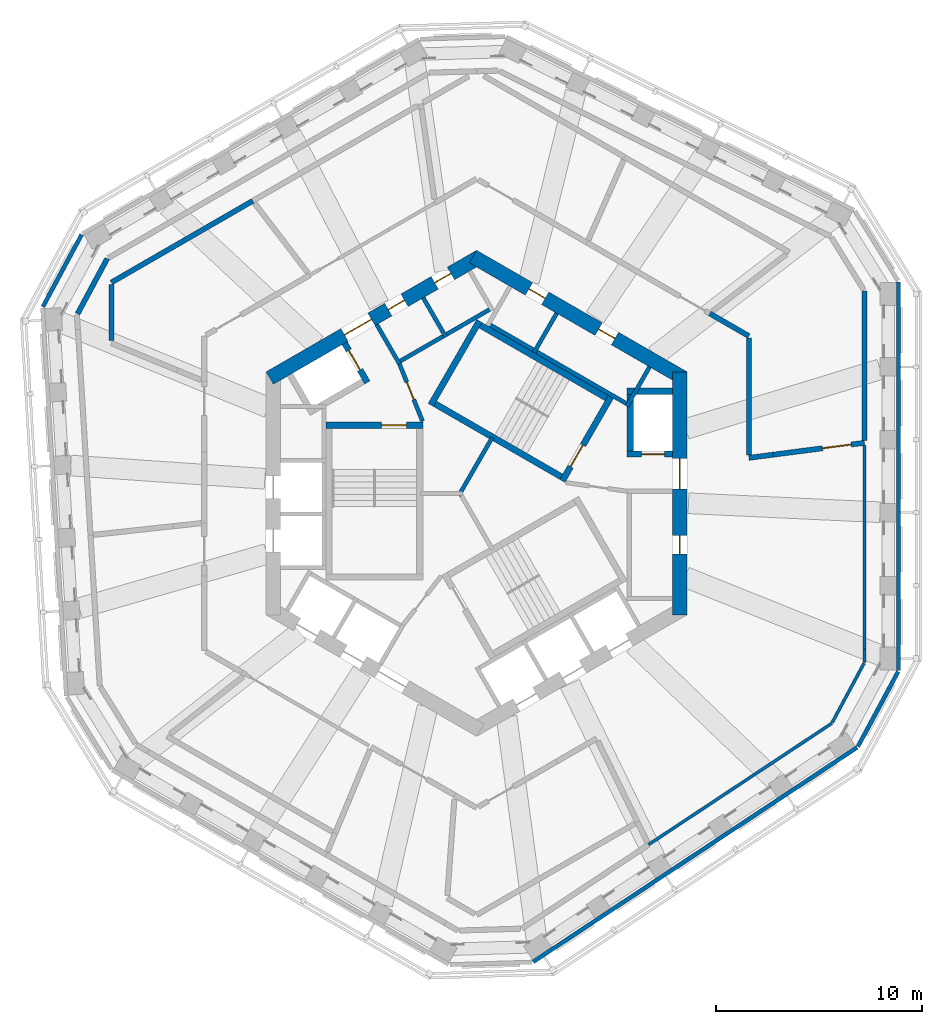
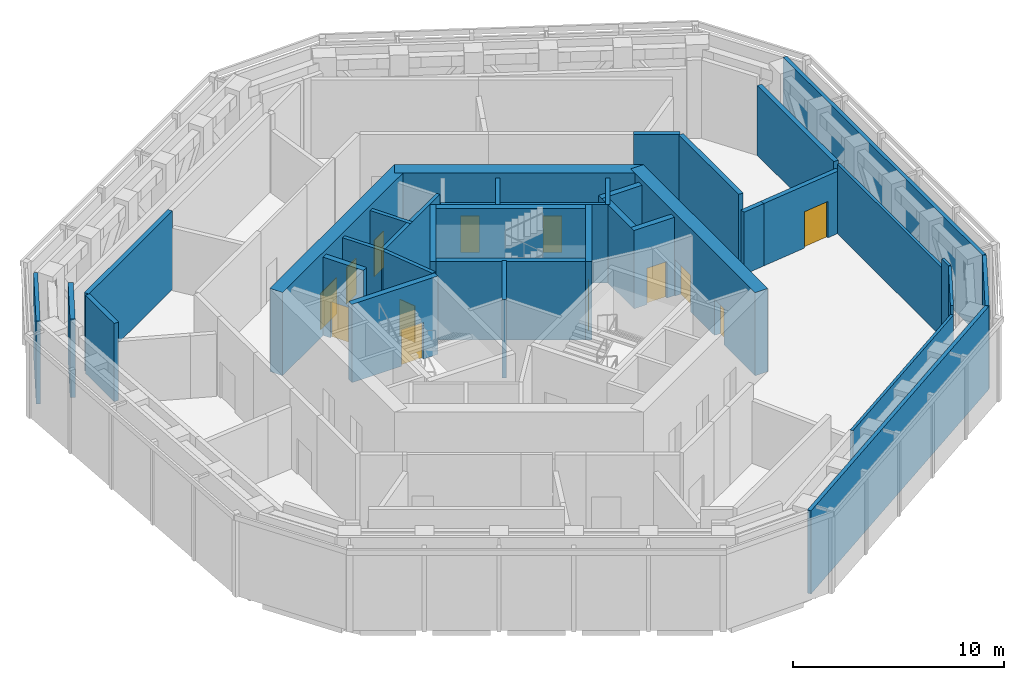
# One storey, part 7 of 14: 36 walls, 13 doors, 13 openings.
"""IFC4 building model written with IfcOpenShell, lengths in metres."""

from ifc_helpers import new_model, si_unit, direction, frame, frame_2d, origin, place, context, subcontext, project, spatial, rectangle, extrude, material, layer, layer_set, type_object, element, fill, save


model = new_model("IFC4")

# Units and contexts
model_context = context("Model", 3, precision=1e-05, world=origin(), true_north=direction((0.0, 1.0)))
body_context = subcontext(model_context, "Body", "Model", "MODEL_VIEW")
ifc_project = project(units=[si_unit("LENGTHUNIT", "METRE"), si_unit("AREAUNIT", "SQUARE_METRE"), si_unit("VOLUMEUNIT", "CUBIC_METRE"), si_unit("PLANEANGLEUNIT", "RADIAN"), si_unit("MASSUNIT", "GRAM", prefix="KILO")], contexts=[model_context])

# Site, building, storey
site_placement = place(None, origin())
site = spatial("IfcSite", under=ifc_project, at=site_placement, CompositionType="ELEMENT")
building_placement = place(site_placement, origin())
building = spatial("IfcBuilding", under=site, at=building_placement, Name="Vanh Sen Convention Tower", CompositionType="ELEMENT")
storey_placement = place(building_placement, frame((0.0, 0.0, 255.0)))
storey = spatial("IfcBuildingStorey", under=building, at=storey_placement, Name="L63", CompositionType="ELEMENT", Elevation=255.0)

# Wall
ifc_material_1 = material(Name="Concrete C40/50", Category="concrete")
ifc_layer_1 = layer(ifc_material_1, 0.25)
ifc_layer_set_1 = layer_set([ifc_layer_1], Name="Concrete C40/50")
wall_type_1 = type_object("IfcWallType", Name="Concrete wall 250 EI 180", PredefinedType="SOLIDWALL", material=ifc_layer_set_1)
wall_1_placement = place(storey_placement, frame((14.369384765625, 1.87158203125, 0.0), z_axis=(0.0, 0.0, 1.0), x_axis=(-0.991594638447, -0.129383434035, 0.0)))
element("IfcWall", 1, at=wall_1_placement, inside=storey, type_object=wall_type_1, Name="Fire-resisting wall L63-038", PredefinedType="SOLIDWALL", context=body_context, shape_type="SweptSolid", body=[
    extrude(rectangle(XDim=1.179443359375, YDim=0.25, at=frame_2d((0.58984375, 0.0))), origin(), (0.0, 0.0, 1.0), 3.60009765625),
])

# Wall, opening, door
wall_2_placement = place(storey_placement, frame((14.369384765625, 1.87158203125, 0.0), z_axis=(0.0, 0.0, 1.0), x_axis=(0.991629331996, 0.129117264244, 0.0)))
wall_2 = element("IfcWall", 2, at=wall_2_placement, inside=storey, type_object=wall_type_1, Name="Fire-resisting wall L63-039", PredefinedType="SOLIDWALL", context=body_context, shape_type="SweptSolid", body=[
    extrude(rectangle(XDim=4.468017578125, YDim=0.25, at=frame_2d((2.23388671875, 0.0))), origin(), (0.0, 0.0, 1.0), 3.60009765625),
])
opening_1_placement = place(wall_2_placement, frame((2.41796875, 0.0, 0.0)))
opening_1 = element("IfcOpeningElement", 3, at=opening_1_placement, cuts=wall_2, Name="Opening D63105", PredefinedType="OPENING", context=body_context, shape_type="SweptSolid", body=[
    extrude(rectangle(XDim=1.39990234375, YDim=2.10009765625, at=frame_2d((0.699951171875, 1.050048828125))), frame((0.0, 0.135009765625, 0.0), z_axis=(0.0, -1.0, 0.0), x_axis=(1.0, 0.0, 0.0)), (0.0, 0.0, 1.0), 0.27001953125),
])
ifc_material_2 = material(Name="Steel S355", Category="steel")
door_type_1 = type_object("IfcDoorType", Name="Service door 1400 EI 60", OperationType="SINGLE_SWING_LEFT", PredefinedType="DOOR", material=ifc_material_2)
door_1_placement = place(opening_1_placement, origin())
door_1 = element("IfcDoor", 4, at=door_1_placement, inside=storey, type_object=door_type_1, Name="Service door D63105", OperationType="SINGLE_SWING_LEFT", OverallHeight=2.10009765625, OverallWidth=1.39990234375, PredefinedType="DOOR", context=body_context, shape_type="SweptSolid", body=[
    extrude(rectangle(XDim=1.39990234375, YDim=2.10009765625, at=frame_2d((0.699951171875, 1.050048828125))), frame((0.0, 0.02490234375, 0.0), z_axis=(0.0, -1.0, 0.0), x_axis=(1.0, 0.0, 0.0)), (0.0, 0.0, 1.0), 0.050048828125),
])
fill(opening_1, door_1)

# Walls
wall_3_placement = place(storey_placement, frame((-17.697998046875, 7.403076171875, 0.0), z_axis=(0.0, 0.0, 1.0), x_axis=(-0.000719165582, 0.9999997414, 0.0)))
element("IfcWall", 5, at=wall_3_placement, inside=storey, type_object=wall_type_1, Name="Fire-resisting wall L63-045", PredefinedType="SOLIDWALL", context=body_context, shape_type="SweptSolid", body=[
    extrude(rectangle(XDim=2.7158203125, YDim=0.25, at=frame_2d((1.35791015625, 0.0))), origin(), (0.0, 0.0, 1.0), 4.52001953125),
])
wall_4_placement = place(storey_placement, frame((13.199951171875, 7.52099609375, 0.0), z_axis=(0.0, 0.0, 1.0), x_axis=(0.0, -1.0, 0.0)))
element("IfcWall", 6, at=wall_4_placement, inside=storey, type_object=wall_type_1, Name="Fire-resisting wall L63-046", PredefinedType="SOLIDWALL", context=body_context, shape_type="SweptSolid", body=[
    extrude(rectangle(XDim=5.662109375, YDim=0.25, at=frame_2d((2.8310546875, 0.0))), origin(), (0.0, 0.0, 1.0), 4.52001953125),
])
wall_5_placement = place(storey_placement, frame((13.199951171875, 7.62109375, 0.0), z_axis=(0.0, 0.0, 1.0), x_axis=(-0.866022502605, 0.500005024956, 0.0)))
element("IfcWall", 7, at=wall_5_placement, inside=storey, type_object=wall_type_1, Name="Fire-resisting wall L63-047", PredefinedType="SOLIDWALL", context=body_context, shape_type="SweptSolid", body=[
    extrude(rectangle(XDim=2.19384765625, YDim=0.25, at=frame_2d((1.096923828125, 0.0))), origin(), (0.0, 0.0, 1.0), 4.52001953125),
])
wall_6_placement = place(storey_placement, frame((-19.338623046875, 8.702392578125, 0.0), z_axis=(0.0, 0.0, 1.0), x_axis=(0.473308147517, 0.880896927849, 0.0)))
element("IfcWall", 8, at=wall_6_placement, inside=storey, type_object=wall_type_1, Name="Fire-resisting wall L63-049", PredefinedType="SOLIDWALL", context=body_context, shape_type="SweptSolid", body=[
    extrude(rectangle(XDim=3.03515625, YDim=0.25, at=frame_2d((1.517578125, 0.0))), origin(), (0.0, 0.0, 1.0), 4.52001953125),
])
wall_7_placement = place(storey_placement, frame((18.800048828125, 9.810546875, 0.0), z_axis=(0.0, 0.0, 1.0), x_axis=(0.0, -1.0, 0.0)))
element("IfcWall", 9, at=wall_7_placement, inside=storey, type_object=wall_type_1, Name="Fire-resisting wall L63-051", PredefinedType="SOLIDWALL", context=body_context, shape_type="SweptSolid", body=[
    extrude(rectangle(XDim=7.241943359375, YDim=0.25, at=frame_2d((3.62109375, 0.0))), origin(), (0.0, 0.0, 1.0), 4.02001953125),
])
wall_8_placement = place(storey_placement, frame((-17.699951171875, 10.218994140625, 0.0), z_axis=(0.0, 0.0, 1.0), x_axis=(0.866032502725, 0.499987704073, 0.0)))
element("IfcWall", 10, at=wall_8_placement, inside=storey, type_object=wall_type_1, Name="Fire-resisting wall L63-052", PredefinedType="SOLIDWALL", context=body_context, shape_type="SweptSolid", body=[
    extrude(rectangle(XDim=7.914306640625, YDim=0.25, at=frame_2d((3.95703125, 0.0))), origin(), (0.0, 0.0, 1.0), 4.52001953125),
])

# Wall, openings, doors
ifc_material_3 = material(Name="Concrete C60/75", Category="concrete")
ifc_layer_2 = layer(ifc_material_3, 0.699951171875)
ifc_layer_set_2 = layer_set([ifc_layer_2], Name="Concrete C60/75")
wall_type_2 = type_object("IfcWallType", Name="Core outer wall 700 C60/75", PredefinedType="SHEAR", material=ifc_layer_set_2)
wall_9_placement = place(storey_placement, frame((9.85009765625, -5.888916015625, 0.0), z_axis=(0.0, 0.0, 1.0), x_axis=(0.0, 1.0, 0.0)))
wall_9 = element("IfcWall", 11, at=wall_9_placement, inside=storey, type_object=wall_type_2, Name="Core wall face E L63", PredefinedType="SHEAR", context=body_context, shape_type="SweptSolid", body=[
    extrude(rectangle(XDim=11.77783203125, YDim=0.699951171875, at=frame_2d((5.888916015625, 0.0))), origin(), (0.0, 0.0, 1.0), 4.800048828125),
])
opening_2_placement = place(wall_9_placement, frame((6.089111328125, 0.0, 0.0)))
opening_2 = element("IfcOpeningElement", 12, at=opening_2_placement, cuts=wall_9, Name="Opening D63001", PredefinedType="OPENING", context=body_context, shape_type="SweptSolid", body=[
    extrude(rectangle(XDim=1.5, YDim=2.10009765625, at=frame_2d((0.75, 1.050048828125))), frame((0.0, 0.35986328125, 0.0), z_axis=(0.0, -1.0, 0.0), x_axis=(1.0, 0.0, 0.0)), (0.0, 0.0, 1.0), 0.719970703125),
])
opening_3_placement = place(wall_9_placement, frame((2.93896484375, 0.0, 0.0)))
opening_3 = element("IfcOpeningElement", 13, at=opening_3_placement, cuts=wall_9, Name="Opening D63010", PredefinedType="OPENING", context=body_context, shape_type="SweptSolid", body=[
    extrude(rectangle(XDim=0.89990234375, YDim=2.10009765625, at=frame_2d((0.449951171875, 1.050048828125))), frame((0.0, 0.35986328125, 0.0), z_axis=(0.0, -1.0, 0.0), x_axis=(1.0, 0.0, 0.0)), (0.0, 0.0, 1.0), 0.719970703125),
])
ifc_material_4 = material(Name="Steel S355", Category="steel")
door_type_2 = type_object("IfcDoorType", Name="Plant door 900", OperationType="SINGLE_SWING_LEFT", PredefinedType="DOOR", material=ifc_material_4)
door_2_placement = place(opening_3_placement, origin())
door_2 = element("IfcDoor", 14, at=door_2_placement, inside=storey, type_object=door_type_2, Name="Plant door D63010", OperationType="SINGLE_SWING_LEFT", OverallHeight=2.10009765625, OverallWidth=0.89990234375, PredefinedType="DOOR", context=body_context, shape_type="SweptSolid", body=[
    extrude(rectangle(XDim=0.89990234375, YDim=2.10009765625, at=frame_2d((0.449951171875, 1.050048828125))), frame((0.0, 0.02490234375, 0.0), z_axis=(0.0, -1.0, 0.0), x_axis=(1.0, 0.0, 0.0)), (0.0, 0.0, 1.0), 0.050048828125),
])
fill(opening_3, door_2)
door_type_3 = type_object("IfcDoorType", Name="Stair lobby door 1500", OperationType="DOUBLE_DOOR_SINGLE_SWING", PredefinedType="DOOR", material=ifc_material_4)
door_3_placement = place(opening_2_placement, origin())
door_3 = element("IfcDoor", 15, at=door_3_placement, inside=storey, type_object=door_type_3, Name="Stair lobby door D63001", OperationType="DOUBLE_DOOR_SINGLE_SWING", OverallHeight=2.10009765625, OverallWidth=1.5, PredefinedType="DOOR", context=body_context, shape_type="SweptSolid", body=[
    extrude(rectangle(XDim=1.5, YDim=2.10009765625, at=frame_2d((0.75, 1.050048828125))), frame((0.0, 0.02490234375, 0.0), z_axis=(0.0, -1.0, 0.0), x_axis=(1.0, 0.0, 0.0)), (0.0, 0.0, 1.0), 0.050048828125),
])
fill(opening_2, door_3)

wall_10_placement = place(storey_placement, frame((10.02490234375, 5.5859375, 0.0), z_axis=(0.0, 0.0, 1.0), x_axis=(-0.866026453023, 0.499998182661, 0.0)))
wall_10 = element("IfcWall", 16, at=wall_10_placement, inside=storey, type_object=wall_type_2, Name="Core wall face NE L63", PredefinedType="SHEAR", context=body_context, shape_type="SweptSolid", body=[
    extrude(rectangle(XDim=11.77783203125, YDim=0.699951171875, at=frame_2d((5.888916015625, 0.0))), origin(), (0.0, 0.0, 1.0), 4.800048828125),
])
opening_4_placement = place(wall_10_placement, frame((3.839111328125, 0.0, 0.0)))
opening_4 = element("IfcOpeningElement", 17, at=opening_4_placement, cuts=wall_10, Name="Opening D63011", PredefinedType="OPENING", context=body_context, shape_type="SweptSolid", body=[
    extrude(rectangle(XDim=0.89990234375, YDim=2.10009765625, at=frame_2d((0.449951171875, 1.050048828125))), frame((0.0, 0.35986328125, 0.0), z_axis=(0.0, -1.0, 0.0), x_axis=(1.0, 0.0, 0.0)), (0.0, 0.0, 1.0), 0.719970703125),
])
opening_5_placement = place(wall_10_placement, frame((7.739013671875, 0.0, 0.0)))
opening_5 = element("IfcOpeningElement", 18, at=opening_5_placement, cuts=wall_10, Name="Opening D63012", PredefinedType="OPENING", context=body_context, shape_type="SweptSolid", body=[
    extrude(rectangle(XDim=0.89990234375, YDim=2.10009765625, at=frame_2d((0.449951171875, 1.050048828125))), frame((0.0, 0.35986328125, 0.0), z_axis=(0.0, -1.0, 0.0), x_axis=(1.0, 0.0, 0.0)), (0.0, 0.0, 1.0), 0.719970703125),
])
door_4_placement = place(opening_4_placement, origin())
door_4 = element("IfcDoor", 19, at=door_4_placement, inside=storey, type_object=door_type_2, Name="Plant door D63011", OperationType="SINGLE_SWING_LEFT", OverallHeight=2.10009765625, OverallWidth=0.89990234375, PredefinedType="DOOR", context=body_context, shape_type="SweptSolid", body=[
    extrude(rectangle(XDim=0.89990234375, YDim=2.10009765625, at=frame_2d((0.449951171875, 1.050048828125))), frame((0.0, 0.02490234375, 0.0), z_axis=(0.0, -1.0, 0.0), x_axis=(1.0, 0.0, 0.0)), (0.0, 0.0, 1.0), 0.050048828125),
])
fill(opening_4, door_4)
door_5_placement = place(opening_5_placement, origin())
door_5 = element("IfcDoor", 20, at=door_5_placement, inside=storey, type_object=door_type_2, Name="Plant door D63012", OperationType="SINGLE_SWING_LEFT", OverallHeight=2.10009765625, OverallWidth=0.89990234375, PredefinedType="DOOR", context=body_context, shape_type="SweptSolid", body=[
    extrude(rectangle(XDim=0.89990234375, YDim=2.10009765625, at=frame_2d((0.449951171875, 1.050048828125))), frame((0.0, 0.02490234375, 0.0), z_axis=(0.0, -1.0, 0.0), x_axis=(1.0, 0.0, 0.0)), (0.0, 0.0, 1.0), 0.050048828125),
])
fill(opening_5, door_5)

wall_11_placement = place(storey_placement, frame((0.175048828125, 11.474853515625, 0.0), z_axis=(0.0, 0.0, 1.0), x_axis=(-0.866026453023, -0.499998182661, 0.0)))
wall_11 = element("IfcWall", 21, at=wall_11_placement, inside=storey, type_object=wall_type_2, Name="Core wall face NW L63", PredefinedType="SHEAR", context=body_context, shape_type="SweptSolid", body=[
    extrude(rectangle(XDim=11.77783203125, YDim=0.699951171875, at=frame_2d((5.888916015625, 0.0))), origin(), (0.0, 0.0, 1.0), 4.800048828125),
])
opening_6_placement = place(wall_11_placement, frame((6.089111328125, 0.0, 0.0)))
opening_6 = element("IfcOpeningElement", 22, at=opening_6_placement, cuts=wall_11, Name="Opening D63002", PredefinedType="OPENING", context=body_context, shape_type="SweptSolid", body=[
    extrude(rectangle(XDim=1.5, YDim=2.10009765625, at=frame_2d((0.75, 1.050048828125))), frame((0.0, 0.35986328125, 0.0), z_axis=(0.0, -1.0, 0.0), x_axis=(1.0, 0.0, 0.0)), (0.0, 0.0, 1.0), 0.719970703125),
])
opening_7_placement = place(wall_11_placement, frame((1.638916015625, 0.0, 0.0)))
opening_7 = element("IfcOpeningElement", 23, at=opening_7_placement, cuts=wall_11, Name="Opening D63013", PredefinedType="OPENING", context=body_context, shape_type="SweptSolid", body=[
    extrude(rectangle(XDim=0.89990234375, YDim=2.10009765625, at=frame_2d((0.449951171875, 1.050048828125))), frame((0.0, 0.35986328125, 0.0), z_axis=(0.0, -1.0, 0.0), x_axis=(1.0, 0.0, 0.0)), (0.0, 0.0, 1.0), 0.719970703125),
])
opening_8_placement = place(wall_11_placement, frame((4.239013671875, 0.0, 0.0)))
opening_8 = element("IfcOpeningElement", 24, at=opening_8_placement, cuts=wall_11, Name="Opening D63014", PredefinedType="OPENING", context=body_context, shape_type="SweptSolid", body=[
    extrude(rectangle(XDim=0.89990234375, YDim=2.10009765625, at=frame_2d((0.449951171875, 1.050048828125))), frame((0.0, 0.35986328125, 0.0), z_axis=(0.0, -1.0, 0.0), x_axis=(1.0, 0.0, 0.0)), (0.0, 0.0, 1.0), 0.719970703125),
])
door_6_placement = place(opening_7_placement, origin())
door_6 = element("IfcDoor", 25, at=door_6_placement, inside=storey, type_object=door_type_2, Name="Plant door D63013", OperationType="SINGLE_SWING_LEFT", OverallHeight=2.10009765625, OverallWidth=0.89990234375, PredefinedType="DOOR", context=body_context, shape_type="SweptSolid", body=[
    extrude(rectangle(XDim=0.89990234375, YDim=2.10009765625, at=frame_2d((0.449951171875, 1.050048828125))), frame((0.0, 0.02490234375, 0.0), z_axis=(0.0, -1.0, 0.0), x_axis=(1.0, 0.0, 0.0)), (0.0, 0.0, 1.0), 0.050048828125),
])
fill(opening_7, door_6)
door_7_placement = place(opening_8_placement, origin())
door_7 = element("IfcDoor", 26, at=door_7_placement, inside=storey, type_object=door_type_2, Name="Plant door D63014", OperationType="SINGLE_SWING_LEFT", OverallHeight=2.10009765625, OverallWidth=0.89990234375, PredefinedType="DOOR", context=body_context, shape_type="SweptSolid", body=[
    extrude(rectangle(XDim=0.89990234375, YDim=2.10009765625, at=frame_2d((0.449951171875, 1.050048828125))), frame((0.0, 0.02490234375, 0.0), z_axis=(0.0, -1.0, 0.0), x_axis=(1.0, 0.0, 0.0)), (0.0, 0.0, 1.0), 0.050048828125),
])
fill(opening_8, door_7)
door_8_placement = place(opening_6_placement, origin())
door_8 = element("IfcDoor", 27, at=door_8_placement, inside=storey, type_object=door_type_3, Name="Stair lobby door D63002", OperationType="DOUBLE_DOOR_SINGLE_SWING", OverallHeight=2.10009765625, OverallWidth=1.5, PredefinedType="DOOR", context=body_context, shape_type="SweptSolid", body=[
    extrude(rectangle(XDim=1.5, YDim=2.10009765625, at=frame_2d((0.75, 1.050048828125))), frame((0.0, 0.02490234375, 0.0), z_axis=(0.0, -1.0, 0.0), x_axis=(1.0, 0.0, 0.0)), (0.0, 0.0, 1.0), 0.050048828125),
])
fill(opening_6, door_8)

# Walls
ifc_material_5 = material(Name="Masonry blockwork", Category="masonry")
ifc_layer_3 = layer(ifc_material_5, 0.199951171875)
ifc_layer_set_3 = layer_set([ifc_layer_3], Name="Masonry blockwork")
wall_type_3 = type_object("IfcWallType", Name="Core partition 200", PredefinedType="PARTITIONING", material=ifc_layer_set_3)
wall_12_placement = place(storey_placement, frame((-0.860107421875, -0.10400390625, 0.0), z_axis=(0.0, 0.0, 1.0), x_axis=(0.500029011134, 0.866008653551, 0.0)))
element("IfcWall", 28, at=wall_12_placement, inside=storey, type_object=wall_type_3, Name="Core partition L63", PredefinedType="PARTITIONING", context=body_context, shape_type="SweptSolid", body=[
    extrude(rectangle(XDim=3.239990234375, YDim=0.199951171875, at=frame_2d((1.6201171875, 0.0))), origin(), (0.0, 0.0, 1.0), 4.52001953125),
])
ifc_material_6 = material(Name="Insulated lightweight infill wall")
ifc_layer_4 = layer(ifc_material_6, 0.199951171875)
ifc_layer_set_4 = layer_set([ifc_layer_4], Name="Insulated lightweight infill wall")
wall_type_4 = type_object("IfcWallType", Name="External wall 200", PredefinedType="STANDARD", material=ifc_layer_set_4)
wall_13_placement = place(storey_placement, frame((20.449951171875, -8.590087890625, 0.0), z_axis=(0.0, 0.0, 1.0), x_axis=(0.0, 1.0, 0.0)))
element("IfcWall", 29, at=wall_13_placement, inside=storey, type_object=wall_type_4, Name="External wall E L63", PredefinedType="STANDARD", context=body_context, shape_type="SweptSolid", body=[
    extrude(rectangle(XDim=18.84130859375, YDim=0.199951171875, at=frame_2d((9.420654296875, 0.0))), origin(), (0.0, 0.0, 1.0), 4.800048828125),
])
wall_14_placement = place(storey_placement, frame((-19.140869140625, 12.54541015625, 0.0), z_axis=(0.0, 0.0, 1.0), x_axis=(-0.473306370921, -0.880897882416, 0.0)))
element("IfcWall", 30, at=wall_14_placement, inside=storey, type_object=wall_type_4, Name="External wall CH3 L63", PredefinedType="STANDARD", context=body_context, shape_type="SweptSolid", body=[
    extrude(rectangle(XDim=3.982666015625, YDim=0.199951171875, at=frame_2d((1.9912109375, 0.0))), origin(), (0.0, 0.0, 1.0), 4.800048828125),
])
wall_15_placement = place(storey_placement, frame((2.739013671875, -22.7109375, 0.0), z_axis=(0.0, 0.0, 1.0), x_axis=(0.833885723098, 0.551937134838, 0.0)))
element("IfcWall", 31, at=wall_15_placement, inside=storey, type_object=wall_type_4, Name="External wall SE L63", PredefinedType="STANDARD", context=body_context, shape_type="SweptSolid", body=[
    extrude(rectangle(XDim=18.84130859375, YDim=0.199951171875, at=frame_2d((9.420654296875, 0.0))), origin(), (0.0, 0.0, 1.0), 4.800048828125),
])
wall_16_placement = place(storey_placement, frame((18.4833984375, -12.275634765625, 0.0), z_axis=(0.0, 0.0, 1.0), x_axis=(0.473267675015, 0.880918672629, 0.0)))
element("IfcWall", 32, at=wall_16_placement, inside=storey, type_object=wall_type_4, Name="External wall CH6 L63", PredefinedType="STANDARD", context=body_context, shape_type="SweptSolid", body=[
    extrude(rectangle(XDim=4.1298828125, YDim=0.199951171875, at=frame_2d((2.06494140625, 0.0))), origin(), (0.0, 0.0, 1.0), 4.800048828125),
])

# Wall, opening, door
ifc_layer_5 = layer(ifc_material_3, 0.300048828125)
ifc_layer_set_5 = layer_set([ifc_layer_5], Name="Concrete C60/75")
wall_type_5 = type_object("IfcWallType", Name="Fire-fighting lift shaft wall 300", PredefinedType="SHEAR", material=ifc_layer_set_5)
wall_17_placement = place(storey_placement, frame((7.300048828125, 1.89990234375, 0.0), z_axis=(0.0, 0.0, 1.0), x_axis=(1.0, 0.0, 0.0)))
wall_17 = element("IfcWall", 33, at=wall_17_placement, inside=storey, type_object=wall_type_5, Name="Fire-fighting lift shaft wall L63", PredefinedType="SHEAR", context=body_context, shape_type="SweptSolid", body=[
    extrude(rectangle(XDim=2.199951171875, YDim=0.300048828125, at=frame_2d((1.10009765625, 0.0))), origin(), (0.0, 0.0, 1.0), 4.52001953125),
])
opening_9_placement = place(wall_17_placement, frame((0.699951171875, 0.0, 0.0)))
opening_9 = element("IfcOpeningElement", 34, at=opening_9_placement, cuts=wall_17, Name="Opening LD-FF1", PredefinedType="OPENING", context=body_context, shape_type="SweptSolid", body=[
    extrude(rectangle(XDim=1.10009765625, YDim=2.10009765625, at=frame_2d((0.550048828125, 1.050048828125))), frame((0.0, 0.159912109375, 0.0), z_axis=(0.0, -1.0, 0.0), x_axis=(1.0, 0.0, 0.0)), (0.0, 0.0, 1.0), 0.320068359375),
])
ifc_material_7 = material(Name="Stainless steel", Category="steel")
door_type_4 = type_object("IfcDoorType", Name="Fire-fighting lift landing door 1100", OperationType="DOUBLE_DOOR_SLIDING", PredefinedType="DOOR", material=ifc_material_7)
door_9_placement = place(opening_9_placement, origin())
door_9 = element("IfcDoor", 35, at=door_9_placement, inside=storey, type_object=door_type_4, Name="Lift FF1 landing door LD-FF1", OperationType="DOUBLE_DOOR_SLIDING", OverallHeight=2.10009765625, OverallWidth=1.10009765625, PredefinedType="DOOR", context=body_context, shape_type="SweptSolid", body=[
    extrude(rectangle(XDim=1.10009765625, YDim=2.10009765625, at=frame_2d((0.550048828125, 1.050048828125))), frame((0.0, 0.02490234375, 0.0), z_axis=(0.0, -1.0, 0.0), x_axis=(1.0, 0.0, 0.0)), (0.0, 0.0, 1.0), 0.050048828125),
])
fill(opening_9, door_9)

# Walls
wall_18_placement = place(storey_placement, frame((7.449951171875, 1.75, 0.0), z_axis=(0.0, 0.0, 1.0), x_axis=(0.0, 1.0, 0.0)))
element("IfcWall", 36, at=wall_18_placement, inside=storey, type_object=wall_type_5, Name="Fire-fighting lift shaft wall L63", PredefinedType="SHEAR", context=body_context, shape_type="SweptSolid", body=[
    extrude(rectangle(XDim=3.35009765625, YDim=0.300048828125, at=frame_2d((1.675048828125, 0.0))), origin(), (0.0, 0.0, 1.0), 4.52001953125),
])
wall_19_placement = place(storey_placement, frame((7.300048828125, 4.949951171875, 0.0), z_axis=(0.0, 0.0, 1.0), x_axis=(1.0, 0.0, 0.0)))
element("IfcWall", 37, at=wall_19_placement, inside=storey, type_object=wall_type_5, Name="Fire-fighting lift shaft wall L63", PredefinedType="SHEAR", context=body_context, shape_type="SweptSolid", body=[
    extrude(rectangle(XDim=2.199951171875, YDim=0.300048828125, at=frame_2d((1.10009765625, 0.0))), origin(), (0.0, 0.0, 1.0), 4.52001953125),
])

# Wall, opening, door
wall_20_placement = place(storey_placement, frame((-5.29541015625, 5.3720703125, 0.0), z_axis=(0.0, 0.0, 1.0), x_axis=(-0.500077893725, 0.86598042715, 0.0)))
wall_20 = element("IfcWall", 38, at=wall_20_placement, inside=storey, type_object=wall_type_5, Name="Fire-fighting lift shaft wall L63", PredefinedType="SHEAR", context=body_context, shape_type="SweptSolid", body=[
    extrude(rectangle(XDim=2.199951171875, YDim=0.300048828125, at=frame_2d((1.10009765625, 0.0))), origin(), (0.0, 0.0, 1.0), 4.52001953125),
])
opening_10_placement = place(wall_20_placement, frame((0.699951171875, 0.0, 0.0)))
opening_10 = element("IfcOpeningElement", 39, at=opening_10_placement, cuts=wall_20, Name="Opening LD-FF2", PredefinedType="OPENING", context=body_context, shape_type="SweptSolid", body=[
    extrude(rectangle(XDim=1.10009765625, YDim=2.10009765625, at=frame_2d((0.550048828125, 1.050048828125))), frame((0.0, 0.159912109375, 0.0), z_axis=(0.0, -1.0, 0.0), x_axis=(1.0, 0.0, 0.0)), (0.0, 0.0, 1.0), 0.320068359375),
])
door_10_placement = place(opening_10_placement, origin())
door_10 = element("IfcDoor", 40, at=door_10_placement, inside=storey, type_object=door_type_4, Name="Lift FF2 landing door LD-FF2", OperationType="DOUBLE_DOOR_SLIDING", OverallHeight=2.10009765625, OverallWidth=1.10009765625, PredefinedType="DOOR", context=body_context, shape_type="SweptSolid", body=[
    extrude(rectangle(XDim=1.10009765625, YDim=2.10009765625, at=frame_2d((0.550048828125, 1.050048828125))), frame((0.0, 0.02490234375, 0.0), z_axis=(0.0, -1.0, 0.0), x_axis=(1.0, 0.0, 0.0)), (0.0, 0.0, 1.0), 0.050048828125),
])
fill(opening_10, door_10)

# Walls
ifc_layer_6 = layer(ifc_material_1, 0.199951171875)
ifc_layer_set_6 = layer_set([ifc_layer_6], Name="Concrete C40/50")
wall_type_6 = type_object("IfcWallType", Name="Lift shaft wall 200", PredefinedType="PARTITIONING", material=ifc_layer_set_6)
wall_21_placement = place(storey_placement, frame((7.423828125, 4.258544921875, 0.0), z_axis=(0.0, 0.0, 1.0), x_axis=(-0.866026010844, 0.49999894854, 0.0)))
element("IfcWall", 41, at=wall_21_placement, inside=storey, type_object=wall_type_6, Name="Lift shaft wall L63", PredefinedType="PARTITIONING", context=body_context, shape_type="SweptSolid", body=[
    extrude(rectangle(XDim=8.0, YDim=0.199951171875, at=frame_2d((4.0, 0.0))), origin(), (0.0, 0.0, 1.0), 4.52001953125),
])
for number, where, z_axis, x_axis, name in (
    (42, (7.287353515625, 4.221923828125, 0.0), (0.0, 0.0, 1.0), (0.499946605688, 0.86605622881, 0.0), "Lift shaft wall L63"),
    (43, (2.783935546875, 6.822021484375, 0.0), (0.0, 0.0, 1.0), (0.50002983664, 0.866008176907, 0.0), "Lift shaft wall L63"),
):
    element("IfcWall", number, at=place(storey_placement, frame(where, z_axis=z_axis, x_axis=x_axis)), inside=storey, type_object=wall_type_6, Name=name, PredefinedType="PARTITIONING", context=body_context, shape_type="SweptSolid", body=[
        extrude(rectangle(XDim=2.199951171875, YDim=0.199951171875, at=frame_2d((1.10009765625, 0.0))), origin(), (0.0, 0.0, 1.0), 4.52001953125),
    ])
wall_22_placement = place(storey_placement, frame((0.80322265625, 9.008544921875, 0.0), z_axis=(0.0, 0.0, 1.0), x_axis=(-0.866028230842, -0.499995103361, 0.0)))
element("IfcWall", 44, at=wall_22_placement, inside=storey, type_object=wall_type_6, Name="Lift shaft wall L63", PredefinedType="PARTITIONING", context=body_context, shape_type="SweptSolid", body=[
    extrude(rectangle(XDim=5.39990234375, YDim=0.199951171875, at=frame_2d((2.699951171875, 0.0))), origin(), (0.0, 0.0, 1.0), 4.52001953125),
])
for number, where, z_axis, x_axis, name in (
    (45, (-1.48486328125, 7.572021484375, 0.0), (0.0, 0.0, 1.0), (-0.50002983664, 0.866008176907, 0.0), "Lift shaft wall L63"),
    (46, (-3.736572265625, 6.27197265625, 0.0), (0.0, 0.0, 1.0), (-0.50002983664, 0.866008176907, 0.0), "Lift shaft wall L63"),
):
    element("IfcWall", number, at=place(storey_placement, frame(where, z_axis=z_axis, x_axis=x_axis)), inside=storey, type_object=wall_type_6, Name=name, PredefinedType="PARTITIONING", context=body_context, shape_type="SweptSolid", body=[
        extrude(rectangle(XDim=2.199951171875, YDim=0.199951171875, at=frame_2d((1.10009765625, 0.0))), origin(), (0.0, 0.0, 1.0), 4.52001953125),
    ])
ifc_material_8 = material(Name="Gypsum board on steel studs", Category="steel")
ifc_layer_7 = layer(ifc_material_8, 0.14990234375)
ifc_layer_set_7 = layer_set([ifc_layer_7], Name="Gypsum board on steel studs")
wall_type_7 = type_object("IfcWallType", Name="Partition 150", PredefinedType="PARTITIONING", material=ifc_layer_set_7)
wall_23_placement = place(storey_placement, frame((17.214599609375, -11.15087890625, 0.0), z_axis=(0.0, 0.0, 1.0), x_axis=(-0.833876794276, -0.551950624575, 0.0)))
element("IfcWall", 47, at=wall_23_placement, inside=storey, type_object=wall_type_7, Name="Partition L63-025", PredefinedType="PARTITIONING", context=body_context, shape_type="SweptSolid", body=[
    extrude(rectangle(XDim=10.646240234375, YDim=0.14990234375, at=frame_2d((5.3232421875, 0.0))), origin(), (0.0, 0.0, 1.0), 4.02001953125),
])
wall_24_placement = place(storey_placement, frame((18.781005859375, -8.2353515625, 0.0), z_axis=(0.0, 0.0, 1.0), x_axis=(-0.47330262929, -0.880899892784, 0.0)))
element("IfcWall", 48, at=wall_24_placement, inside=storey, type_object=wall_type_7, Name="Partition L63-029", PredefinedType="PARTITIONING", context=body_context, shape_type="SweptSolid", body=[
    extrude(rectangle(XDim=3.269775390625, YDim=0.14990234375, at=frame_2d((1.634765625, 0.0))), origin(), (0.0, 0.0, 1.0), 4.52001953125),
])
wall_25_placement = place(storey_placement, frame((18.800048828125, -7.54150390625, 0.0), z_axis=(0.0, 0.0, 1.0), x_axis=(0.0, -1.0, 0.0)))
element("IfcWall", 49, at=wall_25_placement, inside=storey, type_object=wall_type_7, Name="Partition L63-032", PredefinedType="PARTITIONING", context=body_context, shape_type="SweptSolid", body=[
    extrude(rectangle(XDim=0.658447265625, YDim=0.14990234375, at=frame_2d((0.3291015625, 0.0))), origin(), (0.0, 0.0, 1.0), 4.52001953125),
])
wall_26_placement = place(storey_placement, frame((18.800048828125, 2.30859375, 0.0), z_axis=(0.0, 0.0, 1.0), x_axis=(0.0, -1.0, 0.0)))
element("IfcWall", 50, at=wall_26_placement, inside=storey, type_object=wall_type_7, Name="Partition L63-041", PredefinedType="PARTITIONING", context=body_context, shape_type="SweptSolid", body=[
    extrude(rectangle(XDim=9.85009765625, YDim=0.14990234375, at=frame_2d((4.925048828125, 0.0))), origin(), (0.0, 0.0, 1.0), 4.02001953125),
])

# Wall, opening, door
ifc_layer_8 = layer(ifc_material_1, 0.199951171875)
ifc_layer_set_8 = layer_set([ifc_layer_8], Name="Concrete C40/50")
wall_type_8 = type_object("IfcWallType", Name="Stair lobby wall 200", PredefinedType="PARTITIONING", material=ifc_layer_set_8)
wall_27_placement = place(storey_placement, frame((-2.614990234375, 3.487060546875, 0.0), z_axis=(0.0, 0.0, 1.0), x_axis=(-0.373576831041, 0.92759924068, 0.0)))
wall_27 = element("IfcWall", 51, at=wall_27_placement, inside=storey, type_object=wall_type_8, Name="Stair lobby wall L63", PredefinedType="PARTITIONING", context=body_context, shape_type="SweptSolid", body=[
    extrude(rectangle(XDim=3.002197265625, YDim=0.199951171875, at=frame_2d((1.5009765625, 0.0))), origin(), (0.0, 0.0, 1.0), 4.52001953125),
])
opening_11_placement = place(wall_27_placement, frame((1.14990234375, 0.0, 0.0)))
opening_11 = element("IfcOpeningElement", 52, at=opening_11_placement, cuts=wall_27, Name="Opening D63008", PredefinedType="OPENING", context=body_context, shape_type="SweptSolid", body=[
    extrude(rectangle(XDim=0.89990234375, YDim=2.10009765625, at=frame_2d((0.449951171875, 1.050048828125))), frame((0.0, 0.10986328125, 0.0), z_axis=(0.0, -1.0, 0.0), x_axis=(1.0, 0.0, 0.0)), (0.0, 0.0, 1.0), 0.219970703125),
])
door_11_placement = place(opening_11_placement, origin())
door_11 = element("IfcDoor", 53, at=door_11_placement, inside=storey, type_object=door_type_2, Name="Plant door D63008", OperationType="SINGLE_SWING_LEFT", OverallHeight=2.10009765625, OverallWidth=0.89990234375, PredefinedType="DOOR", context=body_context, shape_type="SweptSolid", body=[
    extrude(rectangle(XDim=0.89990234375, YDim=2.10009765625, at=frame_2d((0.449951171875, 1.050048828125))), frame((0.0, 0.02490234375, 0.0), z_axis=(0.0, -1.0, 0.0), x_axis=(1.0, 0.0, 0.0)), (0.0, 0.0, 1.0), 0.050048828125),
])
fill(opening_11, door_11)

ifc_layer_9 = layer(ifc_material_3, 0.300048828125)
ifc_layer_set_9 = layer_set([ifc_layer_9], Name="Concrete C60/75")
wall_type_9 = type_object("IfcWallType", Name="Stair wall 300", PredefinedType="SHEAR", material=ifc_layer_set_9)
wall_28_placement = place(storey_placement, frame((4.157958984375, 0.601806640625, 0.0), z_axis=(0.0, 0.0, 1.0), x_axis=(0.499977259774, 0.866038532462, 0.0)))
wall_28 = element("IfcWall", 54, at=wall_28_placement, inside=storey, type_object=wall_type_9, Name="Stair wall L63", PredefinedType="SHEAR", context=body_context, shape_type="SweptSolid", body=[
    extrude(rectangle(XDim=4.699951171875, YDim=0.300048828125, at=frame_2d((2.35009765625, 0.0))), origin(), (0.0, 0.0, 1.0), 4.52001953125),
])
opening_12_placement = place(wall_28_placement, frame((0.800048828125, 0.0, 0.0)))
opening_12 = element("IfcOpeningElement", 55, at=opening_12_placement, cuts=wall_28, Name="Opening D63004", PredefinedType="OPENING", context=body_context, shape_type="SweptSolid", body=[
    extrude(rectangle(XDim=1.199951171875, YDim=2.10009765625, at=frame_2d((0.60009765625, 1.050048828125))), frame((0.0, 0.159912109375, 0.0), z_axis=(0.0, -1.0, 0.0), x_axis=(1.0, 0.0, 0.0)), (0.0, 0.0, 1.0), 0.320068359375),
])
door_type_5 = type_object("IfcDoorType", Name="Stair door 1200", OperationType="SINGLE_SWING_RIGHT", PredefinedType="DOOR", material=ifc_material_4)
door_12_placement = place(opening_12_placement, origin())
door_12 = element("IfcDoor", 56, at=door_12_placement, inside=storey, type_object=door_type_5, Name="Stair ST1 door D63004", OperationType="SINGLE_SWING_RIGHT", OverallHeight=2.10009765625, OverallWidth=1.199951171875, PredefinedType="DOOR", context=body_context, shape_type="SweptSolid", body=[
    extrude(rectangle(XDim=1.199951171875, YDim=2.10009765625, at=frame_2d((0.60009765625, 1.050048828125))), frame((0.0, 0.02490234375, 0.0), z_axis=(0.0, -1.0, 0.0), x_axis=(1.0, 0.0, 0.0)), (0.0, 0.0, 1.0), 0.050048828125),
])
fill(opening_12, door_12)

# Walls
wall_29_placement = place(storey_placement, frame((-2.216064453125, 4.28173828125, 0.0), z_axis=(0.0, 0.0, 1.0), x_axis=(0.499977259774, 0.866038532462, 0.0)))
element("IfcWall", 57, at=wall_29_placement, inside=storey, type_object=wall_type_9, Name="Stair wall L63", PredefinedType="SHEAR", context=body_context, shape_type="SweptSolid", body=[
    extrude(rectangle(XDim=4.699951171875, YDim=0.300048828125, at=frame_2d((2.35009765625, 0.0))), origin(), (0.0, 0.0, 1.0), 4.52001953125),
])
for number, where, z_axis, x_axis, name in (
    (58, (4.10302734375, 0.806640625, 0.0), (0.0, 0.0, 1.0), (-0.866027801685, 0.499995846692, 0.0), "Stair wall L63"),
    (59, (6.302978515625, 4.6171875, 0.0), (0.0, 0.0, 1.0), (-0.866027801685, 0.499995846692, 0.0), "Stair wall L63"),
):
    element("IfcWall", number, at=place(storey_placement, frame(where, z_axis=z_axis, x_axis=x_axis)), inside=storey, type_object=wall_type_9, Name=name, PredefinedType="SHEAR", context=body_context, shape_type="SweptSolid", body=[
        extrude(rectangle(XDim=7.06005859375, YDim=0.300048828125, at=frame_2d((3.530029296875, 0.0))), origin(), (0.0, 0.0, 1.0), 4.52001953125),
    ])

# Wall, opening, door
wall_30_placement = place(storey_placement, frame((-2.60009765625, 3.300048828125, 0.0), z_axis=(0.0, 0.0, 1.0), x_axis=(-1.0, 0.0, 0.0)))
wall_30 = element("IfcWall", 60, at=wall_30_placement, inside=storey, type_object=wall_type_9, Name="Stair wall L63", PredefinedType="SHEAR", context=body_context, shape_type="SweptSolid", body=[
    extrude(rectangle(XDim=4.699951171875, YDim=0.300048828125, at=frame_2d((2.35009765625, 0.0))), origin(), (0.0, 0.0, 1.0), 4.52001953125),
])
opening_13_placement = place(wall_30_placement, frame((0.800048828125, 0.0, 0.0)))
opening_13 = element("IfcOpeningElement", 61, at=opening_13_placement, cuts=wall_30, Name="Opening D63005", PredefinedType="OPENING", context=body_context, shape_type="SweptSolid", body=[
    extrude(rectangle(XDim=1.199951171875, YDim=2.10009765625, at=frame_2d((0.60009765625, 1.050048828125))), frame((0.0, 0.159912109375, 0.0), z_axis=(0.0, -1.0, 0.0), x_axis=(1.0, 0.0, 0.0)), (0.0, 0.0, 1.0), 0.320068359375),
])
door_13_placement = place(opening_13_placement, origin())
door_13 = element("IfcDoor", 62, at=door_13_placement, inside=storey, type_object=door_type_5, Name="Stair ST2 door D63005", OperationType="SINGLE_SWING_RIGHT", OverallHeight=2.10009765625, OverallWidth=1.199951171875, PredefinedType="DOOR", context=body_context, shape_type="SweptSolid", body=[
    extrude(rectangle(XDim=1.199951171875, YDim=2.10009765625, at=frame_2d((0.60009765625, 1.050048828125))), frame((0.0, 0.02490234375, 0.0), z_axis=(0.0, -1.0, 0.0), x_axis=(1.0, 0.0, 0.0)), (0.0, 0.0, 1.0), 0.050048828125),
])
fill(opening_13, door_13)

save(model, "model.ifc")
